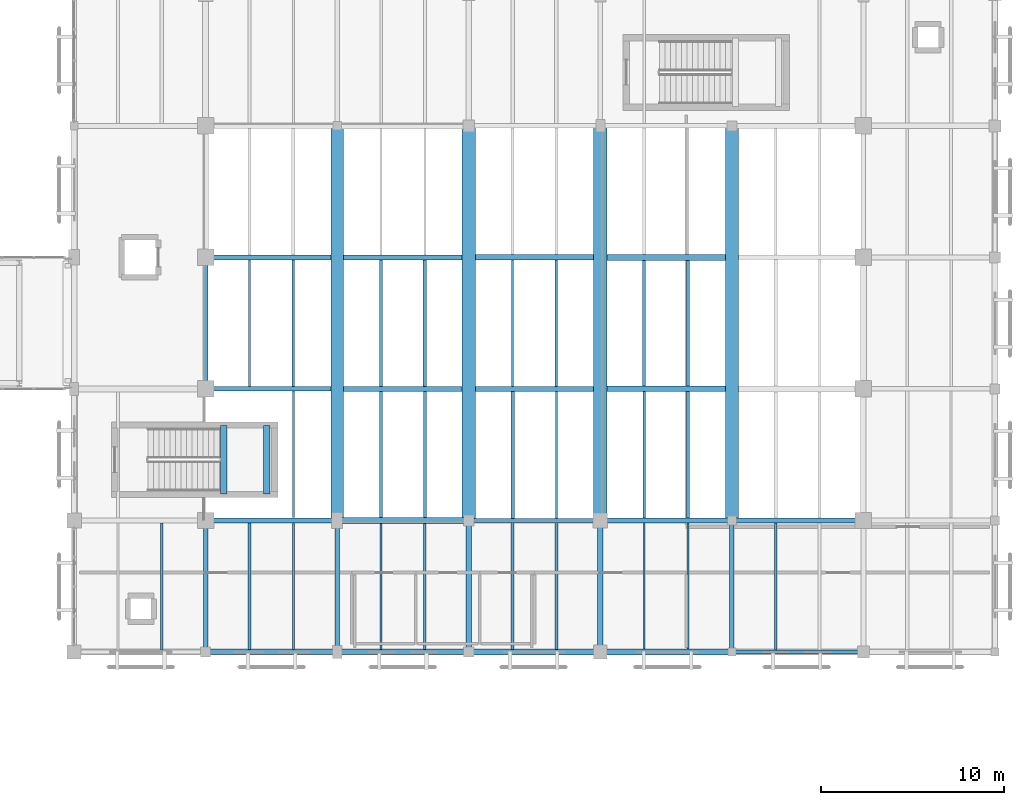
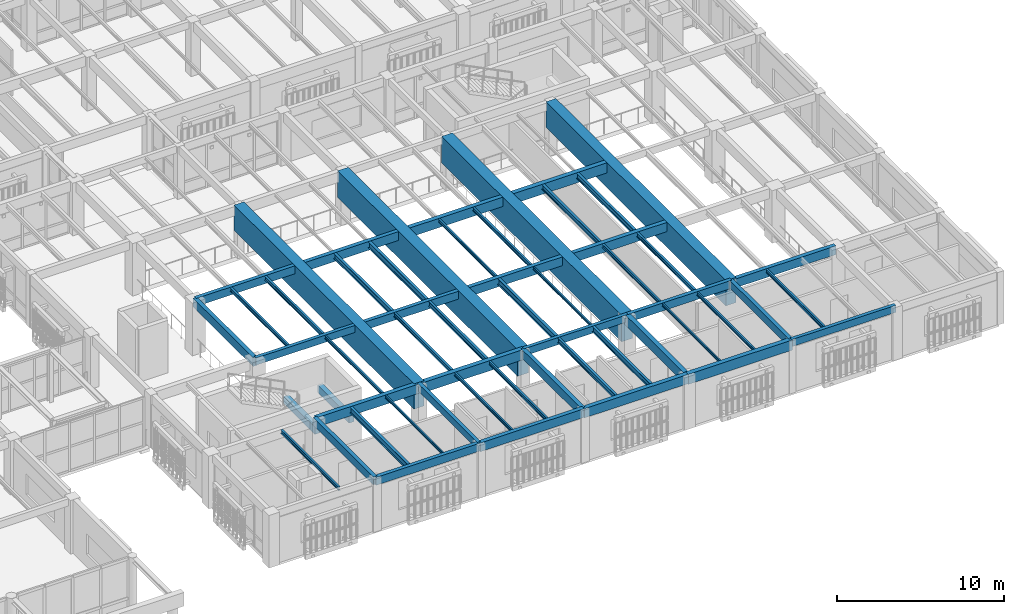
# One storey, part 89 of 170: 55 beams.
"""IFC4 building model written with IfcOpenShell, lengths in metres."""

from ifc_helpers import new_model, si_unit, direction, frame, origin, origin_2d, place, context, subcontext, project, spatial, rectangle, i_section, extrude, material, material_profile, profile_set, type_object, element, save


model = new_model("IFC4")

# Units and contexts
model_context = context("Model", 3, precision=1e-05, world=origin(), true_north=direction((0.0, 1.0)))
body_context = subcontext(model_context, "Body", "Model", "MODEL_VIEW")
ifc_project = project(units=[si_unit("LENGTHUNIT", "METRE"), si_unit("AREAUNIT", "SQUARE_METRE"), si_unit("VOLUMEUNIT", "CUBIC_METRE"), si_unit("PLANEANGLEUNIT", "RADIAN"), si_unit("MASSUNIT", "GRAM", prefix="KILO")], contexts=[model_context])

# Site, building, storey
site_placement = place(None, origin())
site = spatial("IfcSite", under=ifc_project, at=site_placement, CompositionType="ELEMENT")
building_placement = place(site_placement, origin())
building = spatial("IfcBuilding", under=site, at=building_placement, Name="Mazaris Harbour Polytechnic", CompositionType="ELEMENT")
storey_placement = place(building_placement, frame((0.0, 0.0, 5.39990234375)))
storey = spatial("IfcBuildingStorey", under=building, at=storey_placement, Name="L01", CompositionType="ELEMENT", Elevation=5.39990234375)

# Beams
ifc_material_1 = material(Name="Glulam GL32h", Category="wood")
ifc_material_profile_1 = material_profile(ifc_material_1, rectangle(XDim=0.239990234375, YDim=0.52001953125, at=origin_2d()), Name="RECT240x520")
ifc_profile_set_1 = profile_set([ifc_material_profile_1], Name="Glulam GL32h")
beam_type_1 = type_object("IfcBeamType", Name="Glulam Girder 240x520", PredefinedType="BEAM", material=ifc_profile_set_1)
beam_1_placement = place(storey_placement, frame((144.0, 14.39990234375, 3.590087890625), z_axis=(1.0, 0.0, 0.0), x_axis=(0.0, 1.0, 0.0)))
element("IfcBeam", 1, at=beam_1_placement, inside=storey, type_object=beam_type_1, Name="V2 L01 Girder 525", PredefinedType="BEAM", context=body_context, shape_type="SweptSolid", body=[
    extrude(rectangle(XDim=0.239990234375, YDim=0.52001953125, at=origin_2d()), origin(), (0.0, 0.0, 1.0), 7.199951171875),
])
beam_2_placement = place(storey_placement, frame((129.60009765625, 21.60009765625, 3.590087890625), z_axis=(1.0, 0.0, 0.0), x_axis=(0.0, 1.0, 0.0)))
element("IfcBeam", 2, at=beam_2_placement, inside=storey, type_object=beam_type_1, Name="V2 L01 Girder 530", PredefinedType="BEAM", context=body_context, shape_type="SweptSolid", body=[
    extrude(rectangle(XDim=0.239990234375, YDim=0.52001953125, at=origin_2d()), origin(), (0.0, 0.0, 1.0), 6.849853515625),
])
beam_3_placement = place(storey_placement, frame((136.800048828125, 7.199951171875, 3.590087890625), z_axis=(0.0, 1.0, 0.0), x_axis=(-1.0, 0.0, 0.0)))
element("IfcBeam", 3, at=beam_3_placement, inside=storey, type_object=beam_type_1, Name="V2 L01 Tie Girder 565", PredefinedType="BEAM", context=body_context, shape_type="SweptSolid", body=[
    extrude(rectangle(XDim=0.239990234375, YDim=0.52001953125, at=origin_2d()), origin(), (0.0, 0.0, 1.0), 7.199951171875),
])
ifc_material_2 = material(Name="Glulam GL32h", Category="wood")
ifc_material_profile_2 = material_profile(ifc_material_2, rectangle(XDim=0.239990234375, YDim=0.52001953125, at=origin_2d()), Name="RECT240x520")
ifc_profile_set_2 = profile_set([ifc_material_profile_2], Name="Glulam GL32h")
beam_type_2 = type_object("IfcBeamType", Name="Glulam Girder 240x520 Exterior", PredefinedType="BEAM", material=ifc_profile_set_2)
beam_4_placement = place(storey_placement, frame((158.39990234375, 7.199951171875, 3.590087890625), z_axis=(1.0, 0.0, 0.0), x_axis=(0.0, 1.0, 0.0)))
element("IfcBeam", 4, at=beam_4_placement, inside=storey, type_object=beam_type_2, Name="V2 L01 Girder 520", PredefinedType="BEAM", context=body_context, shape_type="SweptSolid", body=[
    extrude(rectangle(XDim=0.239990234375, YDim=0.52001953125, at=origin_2d()), origin(), (0.0, 0.0, 1.0), 7.2001953125),
])
ifc_material_3 = material(Name="Glulam GL32h", Category="wood")
ifc_material_profile_3 = material_profile(ifc_material_3, rectangle(XDim=0.260009765625, YDim=0.580078125, at=origin_2d()), Name="RECT260x580")
ifc_profile_set_3 = profile_set([ifc_material_profile_3], Name="Glulam GL32h")
beam_type_3 = type_object("IfcBeamType", Name="Glulam Girder 260x580", PredefinedType="BEAM", material=ifc_profile_set_3)
beam_5_placement = place(storey_placement, frame((151.199951171875, 14.39990234375, 3.56005859375), z_axis=(1.0, 0.0, 0.0), x_axis=(0.0, 1.0, 0.0)))
element("IfcBeam", 5, at=beam_5_placement, inside=storey, type_object=beam_type_3, Name="V2 L01 Girder 526", PredefinedType="BEAM", context=body_context, shape_type="SweptSolid", body=[
    extrude(rectangle(XDim=0.260009765625, YDim=0.580078125, at=origin_2d()), origin(), (0.0, 0.0, 1.0), 7.199951171875),
])
beam_6_placement = place(storey_placement, frame((137.14990234375, 21.60009765625, 3.56005859375), z_axis=(1.0, 0.0, 0.0), x_axis=(0.0, 1.0, 0.0)))
element("IfcBeam", 6, at=beam_6_placement, inside=storey, type_object=beam_type_3, Name="V2 L01 Girder 531", PredefinedType="BEAM", context=body_context, shape_type="SweptSolid", body=[
    extrude(rectangle(XDim=0.260009765625, YDim=0.580078125, at=origin_2d()), origin(), (0.0, 0.0, 1.0), 6.47509765625),
])
beam_7_placement = place(storey_placement, frame((129.60009765625, 28.800048828125, 3.56005859375), z_axis=(1.0, 0.0, 0.0), x_axis=(0.0, 1.0, 0.0)))
element("IfcBeam", 7, at=beam_7_placement, inside=storey, type_object=beam_type_3, Name="V2 L01 Girder 536", PredefinedType="BEAM", context=body_context, shape_type="SweptSolid", body=[
    extrude(rectangle(XDim=0.260009765625, YDim=0.580078125, at=origin_2d()), origin(), (0.0, 0.0, 1.0), 6.849853515625),
])
for number, where, z_axis, x_axis, name in (
    (8, (129.60009765625, 7.199951171875, 3.56005859375), (0.0, 1.0, 0.0), (-1.0, 0.0, 0.0), "V2 L01 Tie Girder 561"),
    (9, (158.39990234375, 7.199951171875, 3.56005859375), (0.0, 1.0, 0.0), (-1.0, 0.0, 0.0), "V2 L01 Tie Girder 571"),
):
    element("IfcBeam", number, at=place(storey_placement, frame(where, z_axis=z_axis, x_axis=x_axis)), inside=storey, type_object=beam_type_3, Name=name, PredefinedType="BEAM", context=body_context, shape_type="SweptSolid", body=[
        extrude(rectangle(XDim=0.260009765625, YDim=0.580078125, at=origin_2d()), origin(), (0.0, 0.0, 1.0), 7.199951171875),
    ])
ifc_material_4 = material(Name="Glulam GL32h", Category="wood")
ifc_material_profile_4 = material_profile(ifc_material_4, rectangle(XDim=0.260009765625, YDim=0.580078125, at=origin_2d()), Name="RECT260x580")
ifc_profile_set_4 = profile_set([ifc_material_profile_4], Name="Glulam GL32h")
beam_type_4 = type_object("IfcBeamType", Name="Glulam Girder 260x580 Exterior", PredefinedType="BEAM", material=ifc_profile_set_4)
beam_8_placement = place(storey_placement, frame((129.60009765625, 7.199951171875, 3.56005859375), z_axis=(1.0, 0.0, 0.0), x_axis=(0.0, 1.0, 0.0)))
element("IfcBeam", 10, at=beam_8_placement, inside=storey, type_object=beam_type_4, Name="V2 L01 Girder 516", PredefinedType="BEAM", context=body_context, shape_type="SweptSolid", body=[
    extrude(rectangle(XDim=0.260009765625, YDim=0.580078125, at=origin_2d()), origin(), (0.0, 0.0, 1.0), 7.199951171875),
])
ifc_material_5 = material(Name="Glulam GL32h", Category="wood")
ifc_material_profile_5 = material_profile(ifc_material_5, rectangle(XDim=0.280029296875, YDim=0.639892578125, at=origin_2d()), Name="RECT280x640")
ifc_profile_set_5 = profile_set([ifc_material_profile_5], Name="Glulam GL32h")
beam_type_5 = type_object("IfcBeamType", Name="Glulam Girder 280x640", PredefinedType="BEAM", material=ifc_profile_set_5)
beam_9_placement = place(storey_placement, frame((158.39990234375, 14.39990234375, 3.530029296875), z_axis=(1.0, 0.0, 0.0), x_axis=(0.0, 1.0, 0.0)))
element("IfcBeam", 11, at=beam_9_placement, inside=storey, type_object=beam_type_5, Name="V2 L01 Girder 527", PredefinedType="BEAM", context=body_context, shape_type="SweptSolid", body=[
    extrude(rectangle(XDim=0.280029296875, YDim=0.639892578125, at=origin_2d()), origin(), (0.0, 0.0, 1.0), 7.2001953125),
])
beam_10_placement = place(storey_placement, frame((144.375, 21.60009765625, 3.530029296875), z_axis=(1.0, 0.0, 0.0), x_axis=(0.0, 1.0, 0.0)))
element("IfcBeam", 12, at=beam_10_placement, inside=storey, type_object=beam_type_5, Name="V2 L01 Girder 532", PredefinedType="BEAM", context=body_context, shape_type="SweptSolid", body=[
    extrude(rectangle(XDim=0.280029296875, YDim=0.639892578125, at=origin_2d()), origin(), (0.0, 0.0, 1.0), 6.449951171875),
])
beam_11_placement = place(storey_placement, frame((137.14990234375, 28.800048828125, 3.530029296875), z_axis=(1.0, 0.0, 0.0), x_axis=(0.0, 1.0, 0.0)))
element("IfcBeam", 13, at=beam_11_placement, inside=storey, type_object=beam_type_5, Name="V2 L01 Girder 537", PredefinedType="BEAM", context=body_context, shape_type="SweptSolid", body=[
    extrude(rectangle(XDim=0.280029296875, YDim=0.639892578125, at=origin_2d()), origin(), (0.0, 0.0, 1.0), 6.47509765625),
])
for number, where, z_axis, x_axis, name in (
    (14, (129.60009765625, 21.60009765625, 3.530029296875), (0.0, 1.0, 0.0), (-1.0, 0.0, 0.0), "V2 L01 Tie Girder 562"),
    (15, (144.0, 7.199951171875, 3.530029296875), (0.0, 1.0, 0.0), (-1.0, 0.0, 0.0), "V2 L01 Tie Girder 567"),
):
    element("IfcBeam", number, at=place(storey_placement, frame(where, z_axis=z_axis, x_axis=x_axis)), inside=storey, type_object=beam_type_5, Name=name, PredefinedType="BEAM", context=body_context, shape_type="SweptSolid", body=[
        extrude(rectangle(XDim=0.280029296875, YDim=0.639892578125, at=origin_2d()), origin(), (0.0, 0.0, 1.0), 7.199951171875),
    ])
ifc_material_6 = material(Name="Glulam GL32h", Category="wood")
ifc_material_profile_6 = material_profile(ifc_material_6, rectangle(XDim=0.280029296875, YDim=0.639892578125, at=origin_2d()), Name="RECT280x640")
ifc_profile_set_6 = profile_set([ifc_material_profile_6], Name="Glulam GL32h")
beam_type_6 = type_object("IfcBeamType", Name="Glulam Girder 280x640 Exterior", PredefinedType="BEAM", material=ifc_profile_set_6)
beam_12_placement = place(storey_placement, frame((136.800048828125, 7.199951171875, 3.530029296875), z_axis=(1.0, 0.0, 0.0), x_axis=(0.0, 1.0, 0.0)))
element("IfcBeam", 16, at=beam_12_placement, inside=storey, type_object=beam_type_6, Name="V2 L01 Girder 517", PredefinedType="BEAM", context=body_context, shape_type="SweptSolid", body=[
    extrude(rectangle(XDim=0.280029296875, YDim=0.639892578125, at=origin_2d()), origin(), (0.0, 0.0, 1.0), 7.199951171875),
])
ifc_material_7 = material(Name="Glulam GL32h", Category="wood")
ifc_material_profile_7 = material_profile(ifc_material_7, rectangle(XDim=0.300048828125, YDim=0.679931640625, at=origin_2d()), Name="RECT300x680")
ifc_profile_set_7 = profile_set([ifc_material_profile_7], Name="Glulam GL32h")
beam_type_7 = type_object("IfcBeamType", Name="Glulam Girder 300x680", PredefinedType="BEAM", material=ifc_profile_set_7)
beam_13_placement = place(storey_placement, frame((129.60009765625, 14.39990234375, 3.510009765625), z_axis=(1.0, 0.0, 0.0), x_axis=(0.0, 1.0, 0.0)))
element("IfcBeam", 17, at=beam_13_placement, inside=storey, type_object=beam_type_7, Name="V2 L01 Girder 523", PredefinedType="BEAM", context=body_context, shape_type="SweptSolid", body=[
    extrude(rectangle(XDim=0.300048828125, YDim=0.679931640625, at=origin_2d()), origin(), (0.0, 0.0, 1.0), 7.199951171875),
])
beam_14_placement = place(storey_placement, frame((151.574951171875, 21.60009765625, 3.510009765625), z_axis=(1.0, 0.0, 0.0), x_axis=(0.0, 1.0, 0.0)))
element("IfcBeam", 18, at=beam_14_placement, inside=storey, type_object=beam_type_7, Name="V2 L01 Girder 533", PredefinedType="BEAM", context=body_context, shape_type="SweptSolid", body=[
    extrude(rectangle(XDim=0.300048828125, YDim=0.679931640625, at=origin_2d()), origin(), (0.0, 0.0, 1.0), 6.47509765625),
])
beam_15_placement = place(storey_placement, frame((144.375, 28.800048828125, 3.510009765625), z_axis=(1.0, 0.0, 0.0), x_axis=(0.0, 1.0, 0.0)))
element("IfcBeam", 19, at=beam_15_placement, inside=storey, type_object=beam_type_7, Name="V2 L01 Girder 538", PredefinedType="BEAM", context=body_context, shape_type="SweptSolid", body=[
    extrude(rectangle(XDim=0.300048828125, YDim=0.679931640625, at=origin_2d()), origin(), (0.0, 0.0, 1.0), 6.449951171875),
])
ifc_material_8 = material(Name="Glulam GL32h", Category="wood")
ifc_material_profile_8 = material_profile(ifc_material_8, rectangle(XDim=0.300048828125, YDim=0.679931640625, at=origin_2d()), Name="RECT300x680")
ifc_profile_set_8 = profile_set([ifc_material_profile_8], Name="Glulam GL32h")
beam_type_8 = type_object("IfcBeamType", Name="Glulam Girder 300x680 Exterior", PredefinedType="BEAM", material=ifc_profile_set_8)
beam_16_placement = place(storey_placement, frame((144.0, 7.199951171875, 3.510009765625), z_axis=(1.0, 0.0, 0.0), x_axis=(0.0, 1.0, 0.0)))
element("IfcBeam", 20, at=beam_16_placement, inside=storey, type_object=beam_type_8, Name="V2 L01 Girder 518", PredefinedType="BEAM", context=body_context, shape_type="SweptSolid", body=[
    extrude(rectangle(XDim=0.300048828125, YDim=0.679931640625, at=origin_2d()), origin(), (0.0, 0.0, 1.0), 7.199951171875),
])
ifc_material_9 = material(Name="Glulam GL32h", Category="wood")
ifc_material_profile_9 = material_profile(ifc_material_9, rectangle(XDim=0.320068359375, YDim=0.739990234375, at=origin_2d()), Name="RECT320x740")
ifc_profile_set_9 = profile_set([ifc_material_profile_9], Name="Glulam GL32h")
beam_type_9 = type_object("IfcBeamType", Name="Glulam Girder 320x740", PredefinedType="BEAM", material=ifc_profile_set_9)
beam_17_placement = place(storey_placement, frame((136.800048828125, 14.39990234375, 3.47998046875), z_axis=(1.0, 0.0, 0.0), x_axis=(0.0, 1.0, 0.0)))
element("IfcBeam", 21, at=beam_17_placement, inside=storey, type_object=beam_type_9, Name="V2 L01 Girder 524", PredefinedType="BEAM", context=body_context, shape_type="SweptSolid", body=[
    extrude(rectangle(XDim=0.320068359375, YDim=0.739990234375, at=origin_2d()), origin(), (0.0, 0.0, 1.0), 7.199951171875),
])
beam_18_placement = place(storey_placement, frame((151.574951171875, 28.800048828125, 3.47998046875), z_axis=(1.0, 0.0, 0.0), x_axis=(0.0, 1.0, 0.0)))
element("IfcBeam", 22, at=beam_18_placement, inside=storey, type_object=beam_type_9, Name="V2 L01 Girder 539", PredefinedType="BEAM", context=body_context, shape_type="SweptSolid", body=[
    extrude(rectangle(XDim=0.320068359375, YDim=0.739990234375, at=origin_2d()), origin(), (0.0, 0.0, 1.0), 6.47509765625),
])
beam_19_placement = place(storey_placement, frame((151.199951171875, 7.199951171875, 3.47998046875), z_axis=(0.0, 1.0, 0.0), x_axis=(-1.0, 0.0, 0.0)))
element("IfcBeam", 23, at=beam_19_placement, inside=storey, type_object=beam_type_9, Name="V2 L01 Tie Girder 569", PredefinedType="BEAM", context=body_context, shape_type="SweptSolid", body=[
    extrude(rectangle(XDim=0.320068359375, YDim=0.739990234375, at=origin_2d()), origin(), (0.0, 0.0, 1.0), 7.199951171875),
])
ifc_material_10 = material(Name="Glulam GL32h", Category="wood")
ifc_material_profile_10 = material_profile(ifc_material_10, rectangle(XDim=0.320068359375, YDim=0.739990234375, at=origin_2d()), Name="RECT320x740")
ifc_profile_set_10 = profile_set([ifc_material_profile_10], Name="Glulam GL32h")
beam_type_10 = type_object("IfcBeamType", Name="Glulam Girder 320x740 Exterior", PredefinedType="BEAM", material=ifc_profile_set_10)
beam_20_placement = place(storey_placement, frame((151.199951171875, 7.199951171875, 3.47998046875), z_axis=(1.0, 0.0, 0.0), x_axis=(0.0, 1.0, 0.0)))
element("IfcBeam", 24, at=beam_20_placement, inside=storey, type_object=beam_type_10, Name="V2 L01 Girder 519", PredefinedType="BEAM", context=body_context, shape_type="SweptSolid", body=[
    extrude(rectangle(XDim=0.320068359375, YDim=0.739990234375, at=origin_2d()), origin(), (0.0, 0.0, 1.0), 7.199951171875),
])
ifc_material_11 = material(Name="Concrete C40/50", Category="concrete")
ifc_material_profile_11 = material_profile(ifc_material_11, rectangle(XDim=0.35009765625, YDim=0.52001953125, at=origin_2d()), Name="RECT350x520")
ifc_profile_set_11 = profile_set([ifc_material_profile_11], Name="Concrete C40/50")
beam_type_11 = type_object("IfcBeamType", Name="RC Landing Bearer 350x520", PredefinedType="BEAM", material=ifc_profile_set_11)
for number, where, z_axis, x_axis, name in (
    (25, (130.60009765625, 15.85009765625, 1.64013671875), (0.0, 1.0, 0.0), (-1.0, 0.0, 0.0), "Core ST03 L01 Landing Bearer"),
    (26, (132.949951171875, 15.85009765625, 1.64013671875), (0.0, 1.0, 0.0), (-1.0, 0.0, 0.0), "Core ST03 L01 Landing Bearer"),
):
    element("IfcBeam", number, at=place(storey_placement, frame(where, z_axis=z_axis, x_axis=x_axis)), inside=storey, type_object=beam_type_11, Name=name, PredefinedType="BEAM", context=body_context, shape_type="SweptSolid", body=[
        extrude(rectangle(XDim=0.35009765625, YDim=0.52001953125, at=origin_2d()), origin(), (0.0, 0.0, 1.0), 3.75),
    ])
ifc_material_12 = material(Name="Concrete C40/50", Category="concrete")
ifc_material_profile_12 = material_profile(ifc_material_12, rectangle(XDim=0.699951171875, YDim=1.85009765625, at=origin_2d()), Name="RECT700x1850")
ifc_profile_set_12 = profile_set([ifc_material_profile_12], Name="Concrete C40/50")
beam_type_12 = type_object("IfcBeamType", Name="RC Transfer Girder 700x1850", PredefinedType="USERDEFINED", material=ifc_profile_set_12)
for number, where, z_axis, x_axis, name in (
    (27, (136.800048828125, 14.39990234375, 2.925048828125), (0.0, 1.0, 0.0), (-1.0, 0.0, 0.0), "V2 Lecture Hall Transfer Girder 511"),
    (28, (158.39990234375, 14.39990234375, 2.925048828125), (0.0, 1.0, 0.0), (-1.0, 0.0, 0.0), "V2 Lecture Hall Transfer Girder 514"),
):
    element("IfcBeam", number, at=place(storey_placement, frame(where, z_axis=z_axis, x_axis=x_axis)), inside=storey, type_object=beam_type_12, Name=name, ObjectType="TRANSFER GIRDER", PredefinedType="USERDEFINED", context=body_context, shape_type="SweptSolid", body=[
        extrude(rectangle(XDim=0.699951171875, YDim=1.85009765625, at=origin_2d()), origin(), (0.0, 0.0, 1.0), 21.60009765625),
    ])
ifc_material_13 = material(Name="Concrete C40/50", Category="concrete")
ifc_material_profile_13 = material_profile(ifc_material_13, rectangle(XDim=0.75, YDim=1.949951171875, at=origin_2d()), Name="RECT750x1950")
ifc_profile_set_13 = profile_set([ifc_material_profile_13], Name="Concrete C40/50")
beam_type_13 = type_object("IfcBeamType", Name="RC Transfer Girder 750x1950", PredefinedType="USERDEFINED", material=ifc_profile_set_13)
for number, where, z_axis, x_axis, name in (
    (29, (144.0, 14.39990234375, 2.875), (0.0, 1.0, 0.0), (-1.0, 0.0, 0.0), "V2 Lecture Hall Transfer Girder 512"),
    (30, (151.199951171875, 14.39990234375, 2.875), (0.0, 1.0, 0.0), (-1.0, 0.0, 0.0), "V2 Lecture Hall Transfer Girder 513"),
):
    element("IfcBeam", number, at=place(storey_placement, frame(where, z_axis=z_axis, x_axis=x_axis)), inside=storey, type_object=beam_type_13, Name=name, ObjectType="TRANSFER GIRDER", PredefinedType="USERDEFINED", context=body_context, shape_type="SweptSolid", body=[
        extrude(rectangle(XDim=0.75, YDim=1.949951171875, at=origin_2d()), origin(), (0.0, 0.0, 1.0), 21.60009765625),
    ])
ifc_material_14 = material(Name="Steel S355", Category="steel")
ifc_material_profile_14 = material_profile(ifc_material_14, i_section(OverallWidth=0.10009765625, OverallDepth=0.199951171875, WebThickness=0.005615234375, FlangeThickness=0.008544921875, FilletRadius=0.011962890625, at=origin_2d()), Name="IPE 200")
ifc_profile_set_14 = profile_set([ifc_material_profile_14], Name="Steel S355")
beam_type_14 = type_object("IfcBeamType", Name="Steel Joist IPE200", PredefinedType="JOIST", material=ifc_profile_set_14)
beam_21_placement = place(storey_placement, frame((134.39990234375, 7.330078125, 3.75), z_axis=(0.0, 1.0, 0.0), x_axis=(-1.0, 0.0, 0.0)))
element("IfcBeam", 31, at=beam_21_placement, inside=storey, type_object=beam_type_14, Name="V2 L01 Floor Joist 588", PredefinedType="JOIST", context=body_context, shape_type="SweptSolid", body=[
    extrude(i_section(OverallWidth=0.10009765625, OverallDepth=0.199951171875, WebThickness=0.005615234375, FlangeThickness=0.008544921875, FilletRadius=0.011962890625, at=origin_2d()), origin(), (0.0, 0.0, 1.0), 6.919921875),
])
beam_22_placement = place(storey_placement, frame((148.800048828125, 14.52001953125, 3.75), z_axis=(0.0, 1.0, 0.0), x_axis=(-1.0, 0.0, 0.0)))
element("IfcBeam", 32, at=beam_22_placement, inside=storey, type_object=beam_type_14, Name="V2 L01 Floor Joist 609", PredefinedType="JOIST", context=body_context, shape_type="SweptSolid", body=[
    extrude(i_section(OverallWidth=0.10009765625, OverallDepth=0.199951171875, WebThickness=0.005615234375, FlangeThickness=0.008544921875, FilletRadius=0.011962890625, at=origin_2d()), origin(), (0.0, 0.0, 1.0), 6.93994140625),
])
beam_23_placement = place(storey_placement, frame((153.60009765625, 7.360107421875, 3.75), z_axis=(0.0, 1.0, 0.0), x_axis=(-1.0, 0.0, 0.0)))
element("IfcBeam", 33, at=beam_23_placement, inside=storey, type_object=beam_type_14, Name="V2 L01 Floor Joist 616", PredefinedType="JOIST", context=body_context, shape_type="SweptSolid", body=[
    extrude(i_section(OverallWidth=0.10009765625, OverallDepth=0.199951171875, WebThickness=0.005615234375, FlangeThickness=0.008544921875, FilletRadius=0.011962890625, at=origin_2d()), origin(), (0.0, 0.0, 1.0), 6.909912109375),
])
ifc_material_15 = material(Name="Steel S355", Category="steel")
ifc_material_profile_15 = material_profile(ifc_material_15, i_section(OverallWidth=0.1201171875, OverallDepth=0.239990234375, WebThickness=0.006103515625, FlangeThickness=0.009765625, FilletRadius=0.014892578125, at=origin_2d()), Name="IPE 240")
ifc_profile_set_15 = profile_set([ifc_material_profile_15], Name="Steel S355")
beam_type_15 = type_object("IfcBeamType", Name="Steel Joist IPE240", PredefinedType="JOIST", material=ifc_profile_set_15)
beam_24_placement = place(storey_placement, frame((134.39990234375, 14.550048828125, 3.72998046875), z_axis=(0.0, 1.0, 0.0), x_axis=(-1.0, 0.0, 0.0)))
element("IfcBeam", 34, at=beam_24_placement, inside=storey, type_object=beam_type_15, Name="V2 L01 Floor Joist 589", PredefinedType="JOIST", context=body_context, shape_type="SweptSolid", body=[
    extrude(i_section(OverallWidth=0.1201171875, OverallDepth=0.239990234375, WebThickness=0.006103515625, FlangeThickness=0.009765625, FilletRadius=0.014892578125, at=origin_2d()), origin(), (0.0, 0.0, 1.0), 6.929931640625),
])
beam_25_placement = place(storey_placement, frame((139.199951171875, 7.340087890625, 3.72998046875), z_axis=(0.0, 1.0, 0.0), x_axis=(-1.0, 0.0, 0.0)))
element("IfcBeam", 35, at=beam_25_placement, inside=storey, type_object=beam_type_15, Name="V2 L01 Floor Joist 596", PredefinedType="JOIST", context=body_context, shape_type="SweptSolid", body=[
    extrude(i_section(OverallWidth=0.1201171875, OverallDepth=0.239990234375, WebThickness=0.006103515625, FlangeThickness=0.009765625, FilletRadius=0.014892578125, at=origin_2d()), origin(), (0.0, 0.0, 1.0), 6.89990234375),
])
for number, where, z_axis, x_axis, name in (
    (36, (146.39990234375, 21.739990234375, 3.72998046875), (0.0, 1.0, 0.0), (-1.0, 0.0, 0.0), "V2 L01 Floor Joist 610"),
    (37, (156.0, 7.360107421875, 3.72998046875), (0.0, 1.0, 0.0), (-1.0, 0.0, 0.0), "V2 L01 Floor Joist 617"),
):
    element("IfcBeam", number, at=place(storey_placement, frame(where, z_axis=z_axis, x_axis=x_axis)), inside=storey, type_object=beam_type_15, Name=name, PredefinedType="JOIST", context=body_context, shape_type="SweptSolid", body=[
        extrude(i_section(OverallWidth=0.1201171875, OverallDepth=0.239990234375, WebThickness=0.006103515625, FlangeThickness=0.009765625, FilletRadius=0.014892578125, at=origin_2d()), origin(), (0.0, 0.0, 1.0), 6.909912109375),
    ])
ifc_material_16 = material(Name="Steel S355", Category="steel")
ifc_material_profile_16 = material_profile(ifc_material_16, i_section(OverallWidth=0.135009765625, OverallDepth=0.27001953125, WebThickness=0.006591796875, FlangeThickness=0.01025390625, FilletRadius=0.014892578125, at=origin_2d()), Name="IPE 270")
ifc_profile_set_16 = profile_set([ifc_material_profile_16], Name="Steel S355")
beam_type_16 = type_object("IfcBeamType", Name="Steel Joist IPE270", PredefinedType="JOIST", material=ifc_profile_set_16)
beam_26_placement = place(storey_placement, frame((127.199951171875, 7.320068359375, 3.715087890625), z_axis=(0.0, 1.0, 0.0), x_axis=(-1.0, 0.0, 0.0)))
element("IfcBeam", 38, at=beam_26_placement, inside=storey, type_object=beam_type_16, Name="V2 L01 Floor Joist 583", PredefinedType="JOIST", context=body_context, shape_type="SweptSolid", body=[
    extrude(i_section(OverallWidth=0.135009765625, OverallDepth=0.27001953125, WebThickness=0.006591796875, FlangeThickness=0.01025390625, FilletRadius=0.014892578125, at=origin_2d()), origin(), (0.0, 0.0, 1.0), 6.93994140625),
])
beam_27_placement = place(storey_placement, frame((132.0, 21.719970703125, 3.715087890625), z_axis=(0.0, 1.0, 0.0), x_axis=(-1.0, 0.0, 0.0)))
element("IfcBeam", 39, at=beam_27_placement, inside=storey, type_object=beam_type_16, Name="V2 L01 Floor Joist 590", PredefinedType="JOIST", context=body_context, shape_type="SweptSolid", body=[
    extrude(i_section(OverallWidth=0.135009765625, OverallDepth=0.27001953125, WebThickness=0.006591796875, FlangeThickness=0.01025390625, FilletRadius=0.014892578125, at=origin_2d()), origin(), (0.0, 0.0, 1.0), 6.949951171875),
])
beam_28_placement = place(storey_placement, frame((141.60009765625, 7.340087890625, 3.715087890625), z_axis=(0.0, 1.0, 0.0), x_axis=(-1.0, 0.0, 0.0)))
element("IfcBeam", 40, at=beam_28_placement, inside=storey, type_object=beam_type_16, Name="V2 L01 Floor Joist 597", PredefinedType="JOIST", context=body_context, shape_type="SweptSolid", body=[
    extrude(i_section(OverallWidth=0.135009765625, OverallDepth=0.27001953125, WebThickness=0.006591796875, FlangeThickness=0.01025390625, FilletRadius=0.014892578125, at=origin_2d()), origin(), (0.0, 0.0, 1.0), 6.89990234375),
])
beam_29_placement = place(storey_placement, frame((148.800048828125, 21.739990234375, 3.715087890625), z_axis=(0.0, 1.0, 0.0), x_axis=(-1.0, 0.0, 0.0)))
element("IfcBeam", 41, at=beam_29_placement, inside=storey, type_object=beam_type_16, Name="V2 L01 Floor Joist 611", PredefinedType="JOIST", context=body_context, shape_type="SweptSolid", body=[
    extrude(i_section(OverallWidth=0.135009765625, OverallDepth=0.27001953125, WebThickness=0.006591796875, FlangeThickness=0.01025390625, FilletRadius=0.014892578125, at=origin_2d()), origin(), (0.0, 0.0, 1.0), 6.909912109375),
])
beam_30_placement = place(storey_placement, frame((153.60009765625, 14.530029296875, 3.715087890625), z_axis=(0.0, 1.0, 0.0), x_axis=(-1.0, 0.0, 0.0)))
element("IfcBeam", 42, at=beam_30_placement, inside=storey, type_object=beam_type_16, Name="V2 L01 Floor Joist 618", PredefinedType="JOIST", context=body_context, shape_type="SweptSolid", body=[
    extrude(i_section(OverallWidth=0.135009765625, OverallDepth=0.27001953125, WebThickness=0.006591796875, FlangeThickness=0.01025390625, FilletRadius=0.014892578125, at=origin_2d()), origin(), (0.0, 0.0, 1.0), 6.919921875),
])
beam_31_placement = place(storey_placement, frame((160.800048828125, 7.320068359375, 3.715087890625), z_axis=(0.0, 1.0, 0.0), x_axis=(-1.0, 0.0, 0.0)))
element("IfcBeam", 43, at=beam_31_placement, inside=storey, type_object=beam_type_16, Name="V2 L01 Floor Joist 625", PredefinedType="JOIST", context=body_context, shape_type="SweptSolid", body=[
    extrude(i_section(OverallWidth=0.135009765625, OverallDepth=0.27001953125, WebThickness=0.006591796875, FlangeThickness=0.01025390625, FilletRadius=0.014892578125, at=origin_2d()), origin(), (0.0, 0.0, 1.0), 6.93994140625),
])
ifc_material_17 = material(Name="Steel S355", Category="steel")
ifc_material_profile_17 = material_profile(ifc_material_17, i_section(OverallWidth=0.14990234375, OverallDepth=0.300048828125, WebThickness=0.007080078125, FlangeThickness=0.0107421875, FilletRadius=0.014892578125, at=origin_2d()), Name="IPE 300")
ifc_profile_set_17 = profile_set([ifc_material_profile_17], Name="Steel S355")
beam_type_17 = type_object("IfcBeamType", Name="Steel Joist IPE300", PredefinedType="JOIST", material=ifc_profile_set_17)
beam_32_placement = place(storey_placement, frame((134.39990234375, 21.719970703125, 3.7001953125), z_axis=(0.0, 1.0, 0.0), x_axis=(-1.0, 0.0, 0.0)))
element("IfcBeam", 44, at=beam_32_placement, inside=storey, type_object=beam_type_17, Name="V2 L01 Floor Joist 591", PredefinedType="JOIST", context=body_context, shape_type="SweptSolid", body=[
    extrude(i_section(OverallWidth=0.14990234375, OverallDepth=0.300048828125, WebThickness=0.007080078125, FlangeThickness=0.0107421875, FilletRadius=0.014892578125, at=origin_2d()), origin(), (0.0, 0.0, 1.0), 6.949951171875),
])
beam_33_placement = place(storey_placement, frame((139.199951171875, 14.56005859375, 3.7001953125), z_axis=(0.0, 1.0, 0.0), x_axis=(-1.0, 0.0, 0.0)))
element("IfcBeam", 45, at=beam_33_placement, inside=storey, type_object=beam_type_17, Name="V2 L01 Floor Joist 598", PredefinedType="JOIST", context=body_context, shape_type="SweptSolid", body=[
    extrude(i_section(OverallWidth=0.14990234375, OverallDepth=0.300048828125, WebThickness=0.007080078125, FlangeThickness=0.0107421875, FilletRadius=0.014892578125, at=origin_2d()), origin(), (0.0, 0.0, 1.0), 6.909912109375),
])
beam_34_placement = place(storey_placement, frame((156.0, 14.530029296875, 3.7001953125), z_axis=(0.0, 1.0, 0.0), x_axis=(-1.0, 0.0, 0.0)))
element("IfcBeam", 46, at=beam_34_placement, inside=storey, type_object=beam_type_17, Name="V2 L01 Floor Joist 619", PredefinedType="JOIST", context=body_context, shape_type="SweptSolid", body=[
    extrude(i_section(OverallWidth=0.14990234375, OverallDepth=0.300048828125, WebThickness=0.007080078125, FlangeThickness=0.0107421875, FilletRadius=0.014892578125, at=origin_2d()), origin(), (0.0, 0.0, 1.0), 6.919921875),
])
ifc_material_18 = material(Name="Steel S355", Category="steel")
ifc_material_profile_18 = material_profile(ifc_material_18, i_section(OverallWidth=0.169921875, OverallDepth=0.360107421875, WebThickness=0.008056640625, FlangeThickness=0.0126953125, FilletRadius=0.01806640625, at=origin_2d()), Name="IPE 360")
ifc_profile_set_18 = profile_set([ifc_material_profile_18], Name="Steel S355")
beam_type_18 = type_object("IfcBeamType", Name="Steel Joist IPE360", PredefinedType="JOIST", material=ifc_profile_set_18)
beam_35_placement = place(storey_placement, frame((141.60009765625, 14.56005859375, 3.670166015625), z_axis=(0.0, 1.0, 0.0), x_axis=(-1.0, 0.0, 0.0)))
element("IfcBeam", 47, at=beam_35_placement, inside=storey, type_object=beam_type_18, Name="V2 L01 Floor Joist 599", PredefinedType="JOIST", context=body_context, shape_type="SweptSolid", body=[
    extrude(i_section(OverallWidth=0.169921875, OverallDepth=0.360107421875, WebThickness=0.008056640625, FlangeThickness=0.0126953125, FilletRadius=0.01806640625, at=origin_2d()), origin(), (0.0, 0.0, 1.0), 6.909912109375),
])
beam_36_placement = place(storey_placement, frame((146.39990234375, 7.35009765625, 3.670166015625), z_axis=(0.0, 1.0, 0.0), x_axis=(-1.0, 0.0, 0.0)))
element("IfcBeam", 48, at=beam_36_placement, inside=storey, type_object=beam_type_18, Name="V2 L01 Floor Joist 606", PredefinedType="JOIST", context=body_context, shape_type="SweptSolid", body=[
    extrude(i_section(OverallWidth=0.169921875, OverallDepth=0.360107421875, WebThickness=0.008056640625, FlangeThickness=0.0126953125, FilletRadius=0.01806640625, at=origin_2d()), origin(), (0.0, 0.0, 1.0), 6.929931640625),
])
beam_37_placement = place(storey_placement, frame((153.60009765625, 21.75, 3.670166015625), z_axis=(0.0, 1.0, 0.0), x_axis=(-1.0, 0.0, 0.0)))
element("IfcBeam", 49, at=beam_37_placement, inside=storey, type_object=beam_type_18, Name="V2 L01 Floor Joist 620", PredefinedType="JOIST", context=body_context, shape_type="SweptSolid", body=[
    extrude(i_section(OverallWidth=0.169921875, OverallDepth=0.360107421875, WebThickness=0.008056640625, FlangeThickness=0.0126953125, FilletRadius=0.01806640625, at=origin_2d()), origin(), (0.0, 0.0, 1.0), 6.889892578125),
])
ifc_material_19 = material(Name="Steel S355", Category="steel")
ifc_material_profile_19 = material_profile(ifc_material_19, i_section(OverallWidth=0.179931640625, OverallDepth=0.39990234375, WebThickness=0.008544921875, FlangeThickness=0.013427734375, FilletRadius=0.02099609375, at=origin_2d()), Name="IPE 400")
ifc_profile_set_19 = profile_set([ifc_material_profile_19], Name="Steel S355")
beam_type_19 = type_object("IfcBeamType", Name="Steel Joist IPE400", PredefinedType="JOIST", material=ifc_profile_set_19)
for number, where, z_axis, x_axis, name in (
    (50, (139.199951171875, 21.72998046875, 3.650146484375), (0.0, 1.0, 0.0), (-1.0, 0.0, 0.0), "V2 L01 Floor Joist 600"),
    (51, (148.800048828125, 7.35009765625, 3.650146484375), (0.0, 1.0, 0.0), (-1.0, 0.0, 0.0), "V2 L01 Floor Joist 607"),
):
    element("IfcBeam", number, at=place(storey_placement, frame(where, z_axis=z_axis, x_axis=x_axis)), inside=storey, type_object=beam_type_19, Name=name, PredefinedType="JOIST", context=body_context, shape_type="SweptSolid", body=[
        extrude(i_section(OverallWidth=0.179931640625, OverallDepth=0.39990234375, WebThickness=0.008544921875, FlangeThickness=0.013427734375, FilletRadius=0.02099609375, at=origin_2d()), origin(), (0.0, 0.0, 1.0), 6.929931640625),
    ])
beam_38_placement = place(storey_placement, frame((156.0, 21.75, 3.650146484375), z_axis=(0.0, 1.0, 0.0), x_axis=(-1.0, 0.0, 0.0)))
element("IfcBeam", 52, at=beam_38_placement, inside=storey, type_object=beam_type_19, Name="V2 L01 Floor Joist 621", PredefinedType="JOIST", context=body_context, shape_type="SweptSolid", body=[
    extrude(i_section(OverallWidth=0.179931640625, OverallDepth=0.39990234375, WebThickness=0.008544921875, FlangeThickness=0.013427734375, FilletRadius=0.02099609375, at=origin_2d()), origin(), (0.0, 0.0, 1.0), 6.889892578125),
])
ifc_material_20 = material(Name="Steel S355", Category="steel")
ifc_material_profile_20 = material_profile(ifc_material_20, i_section(OverallWidth=0.18994140625, OverallDepth=0.449951171875, WebThickness=0.009521484375, FlangeThickness=0.0146484375, FilletRadius=0.02099609375, at=origin_2d()), Name="IPE 450")
ifc_profile_set_20 = profile_set([ifc_material_profile_20], Name="Steel S355")
beam_type_20 = type_object("IfcBeamType", Name="Steel Joist IPE450", PredefinedType="JOIST", material=ifc_profile_set_20)
beam_39_placement = place(storey_placement, frame((132.0, 7.330078125, 3.625), z_axis=(0.0, 1.0, 0.0), x_axis=(-1.0, 0.0, 0.0)))
element("IfcBeam", 53, at=beam_39_placement, inside=storey, type_object=beam_type_20, Name="V2 L01 Floor Joist 587", PredefinedType="JOIST", context=body_context, shape_type="SweptSolid", body=[
    extrude(i_section(OverallWidth=0.18994140625, OverallDepth=0.449951171875, WebThickness=0.009521484375, FlangeThickness=0.0146484375, FilletRadius=0.02099609375, at=origin_2d()), origin(), (0.0, 0.0, 1.0), 6.919921875),
])
beam_40_placement = place(storey_placement, frame((141.60009765625, 21.72998046875, 3.625), z_axis=(0.0, 1.0, 0.0), x_axis=(-1.0, 0.0, 0.0)))
element("IfcBeam", 54, at=beam_40_placement, inside=storey, type_object=beam_type_20, Name="V2 L01 Floor Joist 601", PredefinedType="JOIST", context=body_context, shape_type="SweptSolid", body=[
    extrude(i_section(OverallWidth=0.18994140625, OverallDepth=0.449951171875, WebThickness=0.009521484375, FlangeThickness=0.0146484375, FilletRadius=0.02099609375, at=origin_2d()), origin(), (0.0, 0.0, 1.0), 6.929931640625),
])
beam_41_placement = place(storey_placement, frame((146.39990234375, 14.52001953125, 3.625), z_axis=(0.0, 1.0, 0.0), x_axis=(-1.0, 0.0, 0.0)))
element("IfcBeam", 55, at=beam_41_placement, inside=storey, type_object=beam_type_20, Name="V2 L01 Floor Joist 608", PredefinedType="JOIST", context=body_context, shape_type="SweptSolid", body=[
    extrude(i_section(OverallWidth=0.18994140625, OverallDepth=0.449951171875, WebThickness=0.009521484375, FlangeThickness=0.0146484375, FilletRadius=0.02099609375, at=origin_2d()), origin(), (0.0, 0.0, 1.0), 6.93994140625),
])

save(model, "model.ifc")
